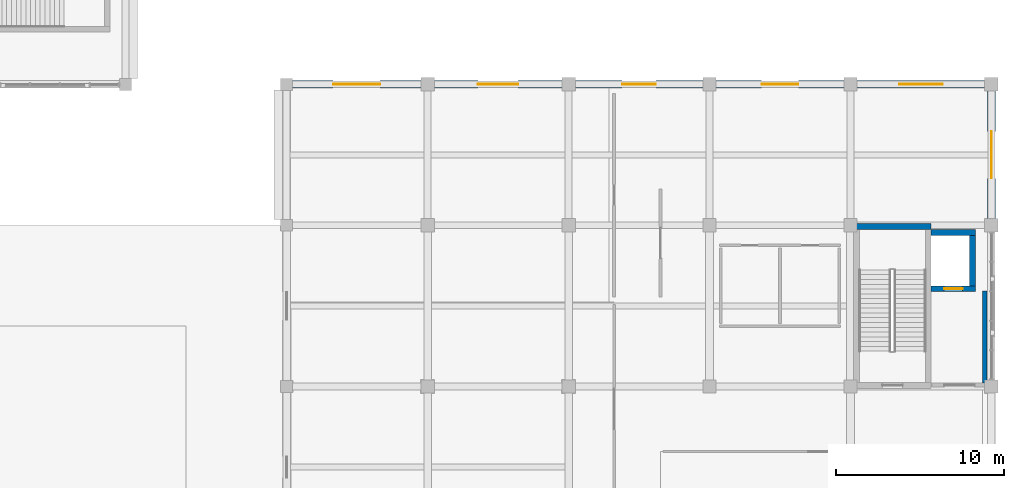
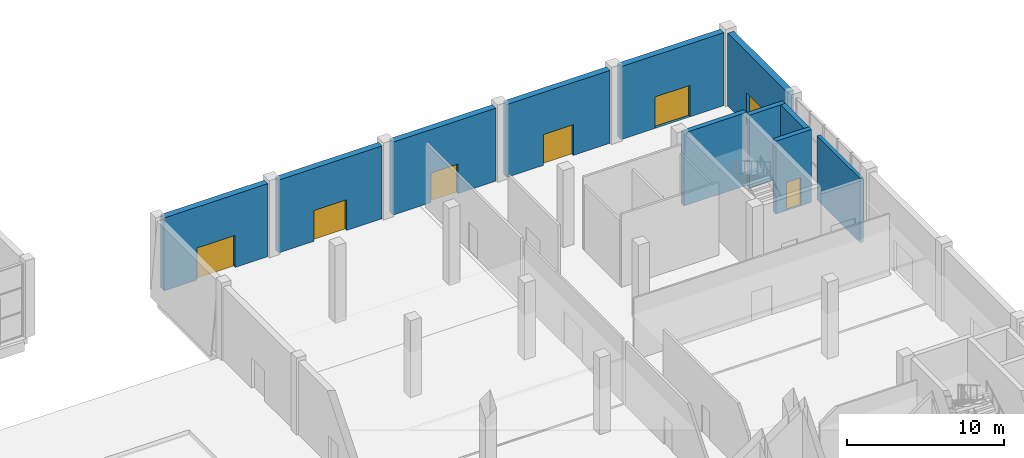
# One storey, part 61 of 84: 11 walls, 7 doors, 7 openings.
"""IFC4 building model written with IfcOpenShell, lengths in metres."""

from ifc_helpers import new_model, si_unit, direction, frame, frame_2d, origin, place, context, subcontext, project, spatial, rectangle, extrude, material, layer, layer_set, type_object, element, fill, save


model = new_model("IFC4")

# Units and contexts
model_context = context("Model", 3, precision=1e-05, world=origin(), true_north=direction((0.0, 1.0)))
body_context = subcontext(model_context, "Body", "Model", "MODEL_VIEW")
ifc_project = project(units=[si_unit("LENGTHUNIT", "METRE"), si_unit("AREAUNIT", "SQUARE_METRE"), si_unit("VOLUMEUNIT", "CUBIC_METRE"), si_unit("PLANEANGLEUNIT", "RADIAN"), si_unit("MASSUNIT", "GRAM", prefix="KILO")], contexts=[model_context])

# Site, building, storey
site_placement = place(None, origin())
site = spatial("IfcSite", under=ifc_project, at=site_placement, CompositionType="ELEMENT")
building_placement = place(site_placement, origin())
building = spatial("IfcBuilding", under=site, at=building_placement, Name="Shalvenor Court Art Gallery", CompositionType="ELEMENT")
storey_placement = place(building_placement, origin())
storey = spatial("IfcBuildingStorey", under=building, at=storey_placement, Name="L00", CompositionType="ELEMENT", Elevation=0.0)

# Walls
ifc_material_1 = material(Name="Concrete C40/50", Category="concrete")
ifc_layer_1 = layer(ifc_material_1, 0.35009765625, Name="Concrete C40/50")
ifc_layer_set_1 = layer_set([ifc_layer_1], Name="Concrete C40/50")
wall_type_1 = type_object("IfcWallType", Name="CW-W1", PredefinedType="SHEAR", material=ifc_layer_set_1)
wall_1_placement = place(storey_placement, frame((168.18798828125, 88.737060546875, 0.0), z_axis=(0.0, 0.0, 1.0), x_axis=(1.0, 0.0, 0.0)))
element("IfcWall", 1, at=wall_1_placement, inside=storey, type_object=wall_type_1, Name="L00 C1 Stair Core Shear Wall N", PredefinedType="SHEAR", context=body_context, shape_type="SweptSolid", body=[
    extrude(rectangle(XDim=4.6240234375, YDim=0.35009765625, at=frame_2d((2.31201171875, 0.0))), origin(), (0.0, 0.0, 1.0), 5.679931640625),
])
wall_2_placement = place(storey_placement, frame((172.81201171875, 88.375, 0.0), z_axis=(0.0, 0.0, 1.0), x_axis=(1.0, 0.0, 0.0)))
element("IfcWall", 2, at=wall_2_placement, inside=storey, type_object=wall_type_1, Name="L00 FL-01 Lift Shaft Wall N", PredefinedType="SHEAR", context=body_context, shape_type="SweptSolid", body=[
    extrude(rectangle(XDim=2.637939453125, YDim=0.35009765625, at=frame_2d((1.31884765625, 0.0))), origin(), (0.0, 0.0, 1.0), 5.679931640625),
])
wall_3_placement = place(storey_placement, frame((175.27490234375, 88.199951171875, 0.0), z_axis=(0.0, 0.0, 1.0), x_axis=(0.0, -1.0, 0.0)))
element("IfcWall", 3, at=wall_3_placement, inside=storey, type_object=wall_type_1, Name="L00 FL-01 Lift Shaft Wall E", PredefinedType="SHEAR", context=body_context, shape_type="SweptSolid", body=[
    extrude(rectangle(XDim=3.0, YDim=0.35009765625, at=frame_2d((1.5, 0.0))), origin(), (0.0, 0.0, 1.0), 5.679931640625),
])

# Wall, opening, door
wall_4_placement = place(storey_placement, frame((175.449951171875, 85.02490234375, 0.0), z_axis=(0.0, 0.0, 1.0), x_axis=(-1.0, 0.0, 0.0)))
wall_4 = element("IfcWall", 4, at=wall_4_placement, inside=storey, type_object=wall_type_1, Name="L00 FL-01 Lift Shaft Wall S", PredefinedType="SHEAR", context=body_context, shape_type="SweptSolid", body=[
    extrude(rectangle(XDim=2.637939453125, YDim=0.35009765625, at=frame_2d((1.31884765625, 0.0))), origin(), (0.0, 0.0, 1.0), 5.679931640625),
])
opening_1_placement = place(wall_4_placement, frame((0.76904296875, 0.0, 0.0)))
opening_1 = element("IfcOpeningElement", 5, at=opening_1_placement, cuts=wall_4, Name="Opening LD-01", PredefinedType="OPENING", context=body_context, shape_type="SweptSolid", body=[
    extrude(rectangle(XDim=1.10009765625, YDim=2.199951171875, at=frame_2d((0.550048828125, 1.10009765625))), frame((0.0, 0.18505859375, 0.0), z_axis=(0.0, -1.0, 0.0), x_axis=(1.0, 0.0, 0.0)), (0.0, 0.0, 1.0), 0.3701171875),
])
ifc_material_2 = material(Name="Stainless steel firefighting lift sliding landing door", Category="steel")
door_type_1 = type_object("IfcDoorType", Name="LD-01", OperationType="NOTDEFINED", PredefinedType="DOOR", material=ifc_material_2)
door_1_placement = place(opening_1_placement, origin())
door_1 = element("IfcDoor", 6, at=door_1_placement, inside=storey, type_object=door_type_1, Name="DR-LD-L00-FL-01 L00 FL-01 Lift Landing Sliding Door", OperationType="DOUBLE_DOOR_SLIDING", OverallHeight=2.199951171875, OverallWidth=1.10009765625, PredefinedType="DOOR", context=body_context, shape_type="SweptSolid", body=[
    extrude(rectangle(XDim=1.10009765625, YDim=2.199951171875, at=frame_2d((0.550048828125, 1.10009765625))), frame((0.0, 0.02490234375, 0.0), z_axis=(0.0, -1.0, 0.0), x_axis=(1.0, 0.0, 0.0)), (0.0, 0.0, 1.0), 0.050048828125),
])
fill(opening_1, door_1)

ifc_material_3 = material(Name="Concrete C40/50", Category="concrete")
ifc_layer_2 = layer(ifc_material_3, 0.4599609375, Name="Concrete C40/50")
ifc_layer_set_2 = layer_set([ifc_layer_2], Name="Concrete C40/50")
wall_type_2 = type_object("IfcWallType", Name="EW-01", PredefinedType="SOLIDWALL", material=ifc_layer_set_2)
wall_5_placement = place(storey_placement, frame((134.75, 97.199951171875, 0.0), z_axis=(0.0, 0.0, 1.0), x_axis=(1.0, 0.0, 0.0)))
wall_5 = element("IfcWall", 7, at=wall_5_placement, inside=storey, type_object=wall_type_2, Name="L00 V1 Exterior Wall WL-L00-0025", PredefinedType="SOLIDWALL", context=body_context, shape_type="SweptSolid", body=[
    extrude(rectangle(XDim=7.64990234375, YDim=0.4599609375, at=frame_2d((3.824951171875, 0.0))), origin(), (0.0, 0.0, 1.0), 5.679931640625),
])
opening_2_placement = place(wall_5_placement, frame((2.425048828125, 0.0, 0.0)))
opening_2 = element("IfcOpeningElement", 8, at=opening_2_placement, cuts=wall_5, Name="Opening ED-01", PredefinedType="OPENING", context=body_context, shape_type="SweptSolid", body=[
    extrude(rectangle(XDim=2.800048828125, YDim=2.5, at=frame_2d((1.39990234375, 1.25))), frame((0.0, 0.239990234375, 0.0), z_axis=(0.0, -1.0, 0.0), x_axis=(1.0, 0.0, 0.0)), (0.0, 0.0, 1.0), 0.47998046875),
])
ifc_material_4 = material(Name="Anodised bronze glazed exit doorset", Category="aluminium")
door_type_2 = type_object("IfcDoorType", Name="ED-01", OperationType="NOTDEFINED", PredefinedType="DOOR", material=ifc_material_4)
door_2_placement = place(opening_2_placement, origin())
door_2 = element("IfcDoor", 9, at=door_2_placement, inside=storey, type_object=door_type_2, Name="DR-EX-01 L00 Pedestrian Final Exit Door", OperationType="DOUBLE_DOOR_SINGLE_SWING", OverallHeight=2.5, OverallWidth=2.800048828125, PredefinedType="DOOR", context=body_context, shape_type="SweptSolid", body=[
    extrude(rectangle(XDim=2.800048828125, YDim=2.5, at=frame_2d((1.39990234375, 1.25))), frame((0.0, 0.02490234375, 0.0), z_axis=(0.0, -1.0, 0.0), x_axis=(1.0, 0.0, 0.0)), (0.0, 0.0, 1.0), 0.050048828125),
])
fill(opening_2, door_2)

wall_6_placement = place(storey_placement, frame((143.199951171875, 97.199951171875, 0.0), z_axis=(0.0, 0.0, 1.0), x_axis=(1.0, 0.0, 0.0)))
wall_6 = element("IfcWall", 10, at=wall_6_placement, inside=storey, type_object=wall_type_2, Name="L00 V1 Exterior Wall WL-L00-0026", PredefinedType="SOLIDWALL", context=body_context, shape_type="SweptSolid", body=[
    extrude(rectangle(XDim=7.60009765625, YDim=0.4599609375, at=frame_2d((3.800048828125, 0.0))), origin(), (0.0, 0.0, 1.0), 5.679931640625),
])
opening_3_placement = place(wall_6_placement, frame((2.60009765625, 0.0, 0.0)))
opening_3 = element("IfcOpeningElement", 11, at=opening_3_placement, cuts=wall_6, Name="Opening ED-02", PredefinedType="OPENING", context=body_context, shape_type="SweptSolid", body=[
    extrude(rectangle(XDim=2.39990234375, YDim=2.39990234375, at=frame_2d((1.199951171875, 1.199951171875))), frame((0.0, 0.239990234375, 0.0), z_axis=(0.0, -1.0, 0.0), x_axis=(1.0, 0.0, 0.0)), (0.0, 0.0, 1.0), 0.47998046875),
])
ifc_material_5 = material(Name="Anodised bronze glazed exit doorset", Category="aluminium")
door_type_3 = type_object("IfcDoorType", Name="ED-02", OperationType="NOTDEFINED", PredefinedType="DOOR", material=ifc_material_5)
door_3_placement = place(opening_3_placement, origin())
door_3 = element("IfcDoor", 12, at=door_3_placement, inside=storey, type_object=door_type_3, Name="DR-EX-02 L00 Pedestrian Final Exit Door", OperationType="DOUBLE_DOOR_SINGLE_SWING", OverallHeight=2.39990234375, OverallWidth=2.39990234375, PredefinedType="DOOR", context=body_context, shape_type="SweptSolid", body=[
    extrude(rectangle(XDim=2.39990234375, YDim=2.39990234375, at=frame_2d((1.199951171875, 1.199951171875))), frame((0.0, 0.02490234375, 0.0), z_axis=(0.0, -1.0, 0.0), x_axis=(1.0, 0.0, 0.0)), (0.0, 0.0, 1.0), 0.050048828125),
])
fill(opening_3, door_3)

wall_7_placement = place(storey_placement, frame((151.60009765625, 97.199951171875, 0.0), z_axis=(0.0, 0.0, 1.0), x_axis=(1.0, 0.0, 0.0)))
wall_7 = element("IfcWall", 13, at=wall_7_placement, inside=storey, type_object=wall_type_2, Name="L00 V1 Exterior Wall WL-L00-0027", PredefinedType="SOLIDWALL", context=body_context, shape_type="SweptSolid", body=[
    extrude(rectangle(XDim=7.599853515625, YDim=0.4599609375, at=frame_2d((3.7998046875, 0.0))), origin(), (0.0, 0.0, 1.0), 5.679931640625),
])
opening_4_placement = place(wall_7_placement, frame((2.800048828125, 0.0, 0.0)))
opening_4 = element("IfcOpeningElement", 14, at=opening_4_placement, cuts=wall_7, Name="Opening ED-03", PredefinedType="OPENING", context=body_context, shape_type="SweptSolid", body=[
    extrude(rectangle(XDim=2.0, YDim=2.300048828125, at=frame_2d((1.0, 1.14990234375))), frame((0.0, 0.239990234375, 0.0), z_axis=(0.0, -1.0, 0.0), x_axis=(1.0, 0.0, 0.0)), (0.0, 0.0, 1.0), 0.47998046875),
])
ifc_material_6 = material(Name="Anodised bronze glazed exit doorset", Category="aluminium")
door_type_4 = type_object("IfcDoorType", Name="ED-03", OperationType="NOTDEFINED", PredefinedType="DOOR", material=ifc_material_6)
door_4_placement = place(opening_4_placement, origin())
door_4 = element("IfcDoor", 15, at=door_4_placement, inside=storey, type_object=door_type_4, Name="DR-EX-03 L00 Pedestrian Final Exit Door", OperationType="DOUBLE_DOOR_SINGLE_SWING", OverallHeight=2.300048828125, OverallWidth=2.0, PredefinedType="DOOR", context=body_context, shape_type="SweptSolid", body=[
    extrude(rectangle(XDim=2.0, YDim=2.300048828125, at=frame_2d((1.0, 1.14990234375))), frame((0.0, 0.02490234375, 0.0), z_axis=(0.0, -1.0, 0.0), x_axis=(1.0, 0.0, 0.0)), (0.0, 0.0, 1.0), 0.050048828125),
])
fill(opening_4, door_4)

wall_8_placement = place(storey_placement, frame((160.0, 97.199951171875, 0.0), z_axis=(0.0, 0.0, 1.0), x_axis=(1.0, 0.0, 0.0)))
wall_8 = element("IfcWall", 16, at=wall_8_placement, inside=storey, type_object=wall_type_2, Name="L00 V1 Exterior Wall WL-L00-0028", PredefinedType="SOLIDWALL", context=body_context, shape_type="SweptSolid", body=[
    extrude(rectangle(XDim=7.60009765625, YDim=0.4599609375, at=frame_2d((3.800048828125, 0.0))), origin(), (0.0, 0.0, 1.0), 5.679931640625),
])
opening_5_placement = place(wall_8_placement, frame((2.699951171875, 0.0, 0.0)))
opening_5 = element("IfcOpeningElement", 17, at=opening_5_placement, cuts=wall_8, Name="Opening ED-04", PredefinedType="OPENING", context=body_context, shape_type="SweptSolid", body=[
    extrude(rectangle(XDim=2.199951171875, YDim=2.39990234375, at=frame_2d((1.10009765625, 1.199951171875))), frame((0.0, 0.239990234375, 0.0), z_axis=(0.0, -1.0, 0.0), x_axis=(1.0, 0.0, 0.0)), (0.0, 0.0, 1.0), 0.47998046875),
])
ifc_material_7 = material(Name="Anodised bronze glazed exit doorset", Category="aluminium")
door_type_5 = type_object("IfcDoorType", Name="ED-04", OperationType="NOTDEFINED", PredefinedType="DOOR", material=ifc_material_7)
door_5_placement = place(opening_5_placement, origin())
door_5 = element("IfcDoor", 18, at=door_5_placement, inside=storey, type_object=door_type_5, Name="DR-EX-04 L00 Pedestrian Final Exit Door", OperationType="DOUBLE_DOOR_SINGLE_SWING", OverallHeight=2.39990234375, OverallWidth=2.199951171875, PredefinedType="DOOR", context=body_context, shape_type="SweptSolid", body=[
    extrude(rectangle(XDim=2.199951171875, YDim=2.39990234375, at=frame_2d((1.10009765625, 1.199951171875))), frame((0.0, 0.02490234375, 0.0), z_axis=(0.0, -1.0, 0.0), x_axis=(1.0, 0.0, 0.0)), (0.0, 0.0, 1.0), 0.050048828125),
])
fill(opening_5, door_5)

wall_9_placement = place(storey_placement, frame((168.39990234375, 97.199951171875, 0.0), z_axis=(0.0, 0.0, 1.0), x_axis=(1.0, 0.0, 0.0)))
wall_9 = element("IfcWall", 19, at=wall_9_placement, inside=storey, type_object=wall_type_2, Name="L00 V1 Exterior Wall WL-L00-0029", PredefinedType="SOLIDWALL", context=body_context, shape_type="SweptSolid", body=[
    extrude(rectangle(XDim=7.60009765625, YDim=0.4599609375, at=frame_2d((3.800048828125, 0.0))), origin(), (0.0, 0.0, 1.0), 5.679931640625),
])
opening_6_placement = place(wall_9_placement, frame((2.5, 0.0, 0.0)))
opening_6 = element("IfcOpeningElement", 20, at=opening_6_placement, cuts=wall_9, Name="Opening ED-05", PredefinedType="OPENING", context=body_context, shape_type="SweptSolid", body=[
    extrude(rectangle(XDim=2.60009765625, YDim=2.449951171875, at=frame_2d((1.300048828125, 1.22509765625))), frame((0.0, 0.239990234375, 0.0), z_axis=(0.0, -1.0, 0.0), x_axis=(1.0, 0.0, 0.0)), (0.0, 0.0, 1.0), 0.47998046875),
])
ifc_material_8 = material(Name="Anodised bronze glazed exit doorset", Category="aluminium")
door_type_6 = type_object("IfcDoorType", Name="ED-05", OperationType="NOTDEFINED", PredefinedType="DOOR", material=ifc_material_8)
door_6_placement = place(opening_6_placement, origin())
door_6 = element("IfcDoor", 21, at=door_6_placement, inside=storey, type_object=door_type_6, Name="DR-EX-05 L00 Pedestrian Final Exit Door", OperationType="DOUBLE_DOOR_SINGLE_SWING", OverallHeight=2.449951171875, OverallWidth=2.60009765625, PredefinedType="DOOR", context=body_context, shape_type="SweptSolid", body=[
    extrude(rectangle(XDim=2.60009765625, YDim=2.449951171875, at=frame_2d((1.300048828125, 1.22509765625))), frame((0.0, 0.02490234375, 0.0), z_axis=(0.0, -1.0, 0.0), x_axis=(1.0, 0.0, 0.0)), (0.0, 0.0, 1.0), 0.050048828125),
])
fill(opening_6, door_6)

wall_10_placement = place(storey_placement, frame((176.39990234375, 96.800048828125, 0.0), z_axis=(0.0, 0.0, 1.0), x_axis=(0.0, -1.0, 0.0)))
wall_10 = element("IfcWall", 22, at=wall_10_placement, inside=storey, type_object=wall_type_2, Name="L00 V1 Exterior Wall WL-L00-0030", PredefinedType="SOLIDWALL", context=body_context, shape_type="SweptSolid", body=[
    extrude(rectangle(XDim=7.60009765625, YDim=0.4599609375, at=frame_2d((3.800048828125, 0.0))), origin(), (0.0, 0.0, 1.0), 5.679931640625),
])
opening_7_placement = place(wall_10_placement, frame((2.39990234375, 0.0, 0.0)))
opening_7 = element("IfcOpeningElement", 23, at=opening_7_placement, cuts=wall_10, Name="Opening ED-01", PredefinedType="OPENING", context=body_context, shape_type="SweptSolid", body=[
    extrude(rectangle(XDim=2.800048828125, YDim=2.5, at=frame_2d((1.39990234375, 1.25))), frame((0.0, 0.239990234375, 0.0), z_axis=(0.0, -1.0, 0.0), x_axis=(1.0, 0.0, 0.0)), (0.0, 0.0, 1.0), 0.47998046875),
])
door_7_placement = place(opening_7_placement, origin())
door_7 = element("IfcDoor", 24, at=door_7_placement, inside=storey, type_object=door_type_2, Name="DR-EX-06 L00 Pedestrian Final Exit Door", OperationType="DOUBLE_DOOR_SINGLE_SWING", OverallHeight=2.5, OverallWidth=2.800048828125, PredefinedType="DOOR", context=body_context, shape_type="SweptSolid", body=[
    extrude(rectangle(XDim=2.800048828125, YDim=2.5, at=frame_2d((1.39990234375, 1.25))), frame((0.0, 0.02490234375, 0.0), z_axis=(0.0, -1.0, 0.0), x_axis=(1.0, 0.0, 0.0)), (0.0, 0.0, 1.0), 0.050048828125),
])
fill(opening_7, door_7)

# Wall
ifc_material_9 = material(Name="Concrete blockwork fire wall", Category="masonry")
ifc_layer_3 = layer(ifc_material_9, 0.239990234375, Name="Concrete blockwork fire wall")
ifc_layer_set_3 = layer_set([ifc_layer_3], Name="Concrete blockwork fire wall")
wall_type_3 = type_object("IfcWallType", Name="FW-01", PredefinedType="PARTITIONING", material=ifc_layer_set_3)
wall_11_placement = place(storey_placement, frame((176.0, 84.89990234375, 0.0), z_axis=(0.0, 0.0, 1.0), x_axis=(0.0, -1.0, 0.0)))
element("IfcWall", 25, at=wall_11_placement, inside=storey, type_object=wall_type_3, Name="L00 C1 Firefighting Lobby Wall E", PredefinedType="PARTITIONING", context=body_context, shape_type="SweptSolid", body=[
    extrude(rectangle(XDim=5.5, YDim=0.239990234375, at=frame_2d((2.75, 0.0))), origin(), (0.0, 0.0, 1.0), 5.0048828125),
])

save(model, "model.ifc")
